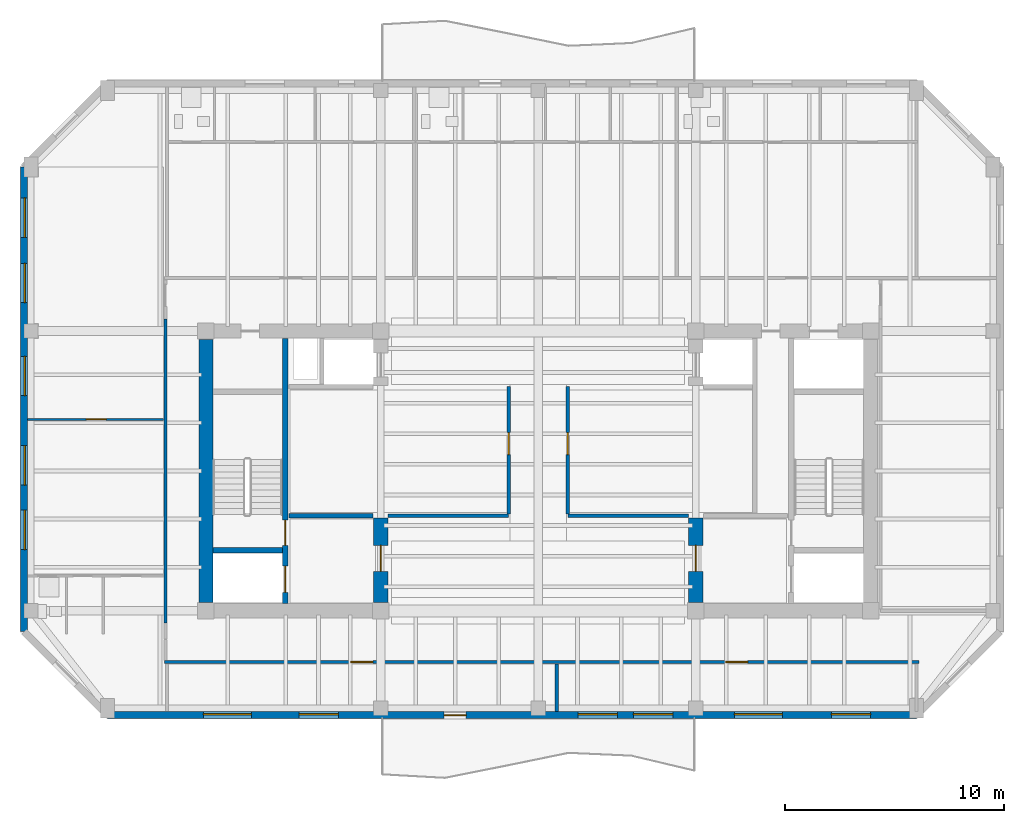
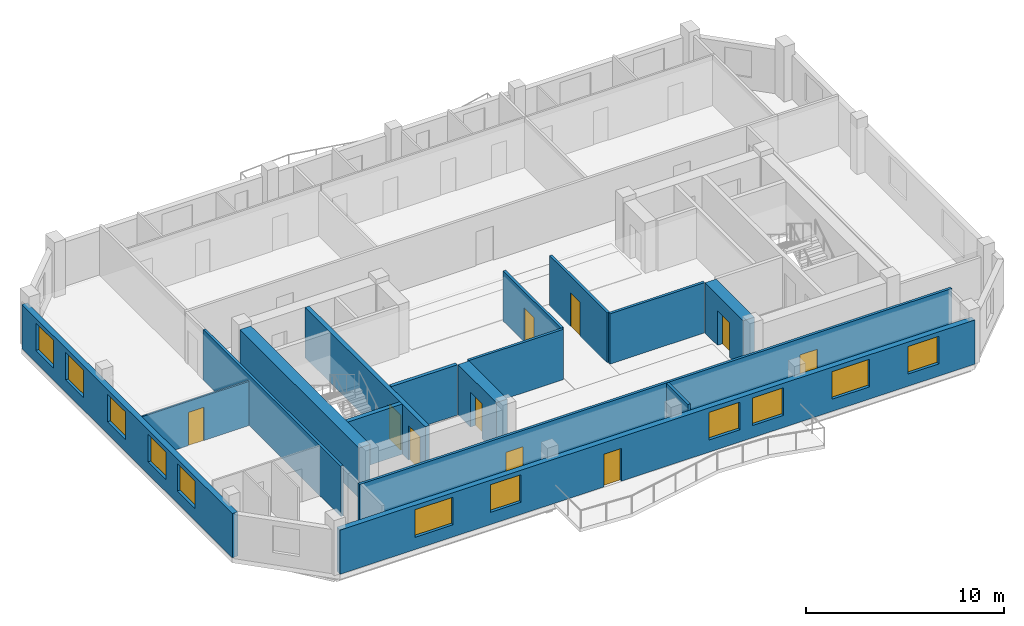
# One storey, part 3 of 10: 16 walls, 11 windows, 10 doors, 21 openings.
"""IFC4 building model written with IfcOpenShell, lengths in metres."""

from ifc_helpers import new_model, si_unit, direction, frame, frame_2d, origin, place, context, subcontext, project, spatial, rectangle, extrude, material, layer, layer_set, type_object, element, fill, save


model = new_model("IFC4")

# Units and contexts
model_context = context("Model", 3, precision=1e-05, world=origin(), true_north=direction((0.0, 1.0)))
body_context = subcontext(model_context, "Body", "Model", "MODEL_VIEW")
ifc_project = project(units=[si_unit("LENGTHUNIT", "METRE"), si_unit("AREAUNIT", "SQUARE_METRE"), si_unit("VOLUMEUNIT", "CUBIC_METRE"), si_unit("PLANEANGLEUNIT", "RADIAN"), si_unit("MASSUNIT", "GRAM", prefix="KILO")], contexts=[model_context])

# Site, building, storey
site_placement = place(None, origin())
site = spatial("IfcSite", under=ifc_project, at=site_placement, CompositionType="ELEMENT")
building_placement = place(site_placement, origin())
building = spatial("IfcBuilding", under=site, at=building_placement, Name="Kranthara Brick Stack", CompositionType="ELEMENT")
storey_placement = place(building_placement, frame((0.0, 0.0, 272.10009765625)))
storey = spatial("IfcBuildingStorey", under=building, at=storey_placement, Name="L72", CompositionType="ELEMENT", Elevation=272.10009765625)

# Wall, openings, door, windows
ifc_material_1 = material(Name="Warm buff clay brick masonry M15", Category="masonry")
ifc_layer_1 = layer(ifc_material_1, 0.320068359375)
ifc_layer_set_1 = layer_set([ifc_layer_1], Name="Warm buff clay brick masonry M15")
wall_type_1 = type_object("IfcWallType", Name="WL-BRK-UPPR-320", PredefinedType="STANDARD", material=ifc_layer_set_1)
wall_1_placement = place(storey_placement, frame((45.300048828125, 16.030029296875, 0.0), z_axis=(0.0, 0.0, 1.0), x_axis=(-1.0, 0.0, 0.0)))
wall_1 = element("IfcWall", 1, at=wall_1_placement, inside=storey, type_object=wall_type_1, Name="L72 Exterior Brick Facade Wall SOUTH 1", PredefinedType="STANDARD", context=body_context, shape_type="SweptSolid", body=[
    extrude(rectangle(XDim=37.0, YDim=0.320068359375, at=frame_2d((18.5, 0.0))), origin(), (0.0, 0.0, 1.0), 2.724853515625),
])
opening_1_placement = place(wall_1_placement, frame((20.60009765625, 0.0, 0.0)))
opening_1 = element("IfcOpeningElement", 2, at=opening_1_placement, cuts=wall_1, Name="Opening D03", PredefinedType="OPENING", context=body_context, shape_type="SweptSolid", body=[
    extrude(rectangle(XDim=1.0, YDim=2.02001953125, at=frame_2d((0.5, 1.010009765625))), frame((0.0, 0.169921875, 0.0), z_axis=(0.0, -1.0, 0.0), x_axis=(1.0, 0.0, 0.0)), (0.0, 0.0, 1.0), 0.340087890625),
])
opening_2_placement = place(wall_1_placement, frame((2.093994140625, 0.0, 0.75)))
opening_2 = element("IfcOpeningElement", 3, at=opening_2_placement, cuts=wall_1, Name="Opening WN07", PredefinedType="OPENING", context=body_context, shape_type="SweptSolid", body=[
    extrude(rectangle(XDim=1.800048828125, YDim=1.699951171875, at=frame_2d((0.89990234375, 0.85009765625))), frame((0.0, 0.169921875, 0.0), z_axis=(0.0, -1.0, 0.0), x_axis=(1.0, 0.0, 0.0)), (0.0, 0.0, 1.0), 0.340087890625),
])
opening_3_placement = place(wall_1_placement, frame((6.1298828125, 0.0, 0.75)))
opening_3 = element("IfcOpeningElement", 4, at=opening_3_placement, cuts=wall_1, Name="Opening WN08", PredefinedType="OPENING", context=body_context, shape_type="SweptSolid", body=[
    extrude(rectangle(XDim=2.199951171875, YDim=1.699951171875, at=frame_2d((1.10009765625, 0.85009765625))), frame((0.0, 0.169921875, 0.0), z_axis=(0.0, -1.0, 0.0), x_axis=(1.0, 0.0, 0.0)), (0.0, 0.0, 1.0), 0.340087890625),
])
opening_4_placement = place(wall_1_placement, frame((11.14794921875, 0.0, 0.75)))
opening_4 = element("IfcOpeningElement", 5, at=opening_4_placement, cuts=wall_1, Name="Opening WN07", PredefinedType="OPENING", context=body_context, shape_type="SweptSolid", body=[
    extrude(rectangle(XDim=1.800048828125, YDim=1.699951171875, at=frame_2d((0.89990234375, 0.85009765625))), frame((0.0, 0.169921875, 0.0), z_axis=(0.0, -1.0, 0.0), x_axis=(1.0, 0.0, 0.0)), (0.0, 0.0, 1.0), 0.340087890625),
])
opening_5_placement = place(wall_1_placement, frame((13.680908203125, 0.0, 0.75)))
opening_5 = element("IfcOpeningElement", 6, at=opening_5_placement, cuts=wall_1, Name="Opening WN07", PredefinedType="OPENING", context=body_context, shape_type="SweptSolid", body=[
    extrude(rectangle(XDim=1.800048828125, YDim=1.699951171875, at=frame_2d((0.89990234375, 0.85009765625))), frame((0.0, 0.169921875, 0.0), z_axis=(0.0, -1.0, 0.0), x_axis=(1.0, 0.0, 0.0)), (0.0, 0.0, 1.0), 0.340087890625),
])
opening_6_placement = place(wall_1_placement, frame((26.43798828125, 0.0, 0.75)))
opening_6 = element("IfcOpeningElement", 7, at=opening_6_placement, cuts=wall_1, Name="Opening WN07", PredefinedType="OPENING", context=body_context, shape_type="SweptSolid", body=[
    extrude(rectangle(XDim=1.800048828125, YDim=1.699951171875, at=frame_2d((0.89990234375, 0.85009765625))), frame((0.0, 0.169921875, 0.0), z_axis=(0.0, -1.0, 0.0), x_axis=(1.0, 0.0, 0.0)), (0.0, 0.0, 1.0), 0.340087890625),
])
opening_7_placement = place(wall_1_placement, frame((30.4169921875, 0.0, 0.75)))
opening_7 = element("IfcOpeningElement", 8, at=opening_7_placement, cuts=wall_1, Name="Opening WN08", PredefinedType="OPENING", context=body_context, shape_type="SweptSolid", body=[
    extrude(rectangle(XDim=2.199951171875, YDim=1.699951171875, at=frame_2d((1.10009765625, 0.85009765625))), frame((0.0, 0.169921875, 0.0), z_axis=(0.0, -1.0, 0.0), x_axis=(1.0, 0.0, 0.0)), (0.0, 0.0, 1.0), 0.340087890625),
])
ifc_material_2 = material(Name="Bronze anodised aluminium and laminated glass", Category="aluminium")
door_type_1 = type_object("IfcDoorType", Name="DR-BALC-1000", OperationType="NOTDEFINED", PredefinedType="DOOR", material=ifc_material_2)
door_1_placement = place(opening_1_placement, origin())
door_1 = element("IfcDoor", 9, at=door_1_placement, inside=storey, type_object=door_type_1, Name="L72 South Balcony Terrace Door", OperationType="SINGLE_SWING_LEFT", OverallHeight=2.02001953125, OverallWidth=1.0, PredefinedType="DOOR", context=body_context, shape_type="SweptSolid", body=[
    extrude(rectangle(XDim=1.0, YDim=2.02001953125, at=frame_2d((0.5, 1.010009765625))), frame((0.0, 0.02490234375, 0.0), z_axis=(0.0, -1.0, 0.0), x_axis=(1.0, 0.0, 0.0)), (0.0, 0.0, 1.0), 0.050048828125),
])
fill(opening_1, door_1)
ifc_material_3 = material(Name="Double-glazed low-E solar control glass", Category="glass")
window_type_1 = type_object("IfcWindowType", Name="WN-RES-1800x1850", PartitioningType="DOUBLE_PANEL_VERTICAL", PredefinedType="WINDOW", material=ifc_material_3)
window_1_placement = place(opening_2_placement, origin())
window_1 = element("IfcWindow", 10, at=window_1_placement, inside=storey, type_object=window_type_1, Name="L72 South Deep-Set Brick Window 01", OverallHeight=1.699951171875, OverallWidth=1.800048828125, PartitioningType="SINGLE_PANEL", PredefinedType="WINDOW", context=body_context, shape_type="SweptSolid", body=[
    extrude(rectangle(XDim=1.800048828125, YDim=1.699951171875, at=frame_2d((0.89990234375, 0.85009765625))), frame((0.0, -0.010009765625, 0.0), z_axis=(0.0, -1.0, 0.0), x_axis=(1.0, 0.0, 0.0)), (0.0, 0.0, 1.0), 0.06005859375),
])
fill(opening_2, window_1)
window_2_placement = place(opening_4_placement, origin())
window_2 = element("IfcWindow", 11, at=window_2_placement, inside=storey, type_object=window_type_1, Name="L72 South Deep-Set Brick Window 03", OverallHeight=1.699951171875, OverallWidth=1.800048828125, PartitioningType="SINGLE_PANEL", PredefinedType="WINDOW", context=body_context, shape_type="SweptSolid", body=[
    extrude(rectangle(XDim=1.800048828125, YDim=1.699951171875, at=frame_2d((0.89990234375, 0.85009765625))), frame((0.0, -0.010009765625, 0.0), z_axis=(0.0, -1.0, 0.0), x_axis=(1.0, 0.0, 0.0)), (0.0, 0.0, 1.0), 0.06005859375),
])
fill(opening_4, window_2)
window_3_placement = place(opening_5_placement, origin())
window_3 = element("IfcWindow", 12, at=window_3_placement, inside=storey, type_object=window_type_1, Name="L72 South Deep-Set Brick Window 04", OverallHeight=1.699951171875, OverallWidth=1.800048828125, PartitioningType="SINGLE_PANEL", PredefinedType="WINDOW", context=body_context, shape_type="SweptSolid", body=[
    extrude(rectangle(XDim=1.800048828125, YDim=1.699951171875, at=frame_2d((0.89990234375, 0.85009765625))), frame((0.0, -0.010009765625, 0.0), z_axis=(0.0, -1.0, 0.0), x_axis=(1.0, 0.0, 0.0)), (0.0, 0.0, 1.0), 0.06005859375),
])
fill(opening_5, window_3)
window_4_placement = place(opening_6_placement, origin())
window_4 = element("IfcWindow", 13, at=window_4_placement, inside=storey, type_object=window_type_1, Name="L72 South Deep-Set Brick Window 05", OverallHeight=1.699951171875, OverallWidth=1.800048828125, PartitioningType="SINGLE_PANEL", PredefinedType="WINDOW", context=body_context, shape_type="SweptSolid", body=[
    extrude(rectangle(XDim=1.800048828125, YDim=1.699951171875, at=frame_2d((0.89990234375, 0.85009765625))), frame((0.0, -0.010009765625, 0.0), z_axis=(0.0, -1.0, 0.0), x_axis=(1.0, 0.0, 0.0)), (0.0, 0.0, 1.0), 0.06005859375),
])
fill(opening_6, window_4)
ifc_material_4 = material(Name="Double-glazed low-E solar control glass", Category="glass")
window_type_2 = type_object("IfcWindowType", Name="WN-RES-2200x1850", PartitioningType="TRIPLE_PANEL_VERTICAL", PredefinedType="WINDOW", material=ifc_material_4)
window_5_placement = place(opening_3_placement, origin())
window_5 = element("IfcWindow", 14, at=window_5_placement, inside=storey, type_object=window_type_2, Name="L72 South Deep-Set Brick Window 02", OverallHeight=1.699951171875, OverallWidth=2.199951171875, PartitioningType="SINGLE_PANEL", PredefinedType="WINDOW", context=body_context, shape_type="SweptSolid", body=[
    extrude(rectangle(XDim=2.199951171875, YDim=1.699951171875, at=frame_2d((1.10009765625, 0.85009765625))), frame((0.0, -0.010009765625, 0.0), z_axis=(0.0, -1.0, 0.0), x_axis=(1.0, 0.0, 0.0)), (0.0, 0.0, 1.0), 0.06005859375),
])
fill(opening_3, window_5)
window_6_placement = place(opening_7_placement, origin())
window_6 = element("IfcWindow", 15, at=window_6_placement, inside=storey, type_object=window_type_2, Name="L72 South Deep-Set Brick Window 06", OverallHeight=1.699951171875, OverallWidth=2.199951171875, PartitioningType="SINGLE_PANEL", PredefinedType="WINDOW", context=body_context, shape_type="SweptSolid", body=[
    extrude(rectangle(XDim=2.199951171875, YDim=1.699951171875, at=frame_2d((1.10009765625, 0.85009765625))), frame((0.0, -0.010009765625, 0.0), z_axis=(0.0, -1.0, 0.0), x_axis=(1.0, 0.0, 0.0)), (0.0, 0.0, 1.0), 0.06005859375),
])
fill(opening_7, window_6)

# Wall, openings, windows
wall_2_placement = place(storey_placement, frame((4.47998046875, 19.85009765625, 0.0), z_axis=(0.0, 0.0, 1.0), x_axis=(0.0, 1.0, 0.0)))
wall_2 = element("IfcWall", 16, at=wall_2_placement, inside=storey, type_object=wall_type_1, Name="L72 Exterior Brick Facade Wall WEST 1", PredefinedType="STANDARD", context=body_context, shape_type="SweptSolid", body=[
    extrude(rectangle(XDim=21.25, YDim=0.320068359375, at=frame_2d((10.625, 0.0))), origin(), (0.0, 0.0, 1.0), 2.724853515625),
])
opening_8_placement = place(wall_2_placement, frame((3.7509765625, 0.0, 0.75)))
opening_8 = element("IfcOpeningElement", 17, at=opening_8_placement, cuts=wall_2, Name="Opening WN07", PredefinedType="OPENING", context=body_context, shape_type="SweptSolid", body=[
    extrude(rectangle(XDim=1.800048828125, YDim=1.699951171875, at=frame_2d((0.89990234375, 0.85009765625))), frame((0.0, 0.169921875, 0.0), z_axis=(0.0, -1.0, 0.0), x_axis=(1.0, 0.0, 0.0)), (0.0, 0.0, 1.0), 0.340087890625),
])
opening_9_placement = place(wall_2_placement, frame((6.705078125, 0.0, 0.75)))
opening_9 = element("IfcOpeningElement", 18, at=opening_9_placement, cuts=wall_2, Name="Opening WN07", PredefinedType="OPENING", context=body_context, shape_type="SweptSolid", body=[
    extrude(rectangle(XDim=1.800048828125, YDim=1.699951171875, at=frame_2d((0.89990234375, 0.85009765625))), frame((0.0, 0.169921875, 0.0), z_axis=(0.0, -1.0, 0.0), x_axis=(1.0, 0.0, 0.0)), (0.0, 0.0, 1.0), 0.340087890625),
])
opening_10_placement = place(wall_2_placement, frame((10.7900390625, 0.0, 0.75)))
opening_10 = element("IfcOpeningElement", 19, at=opening_10_placement, cuts=wall_2, Name="Opening WN07", PredefinedType="OPENING", context=body_context, shape_type="SweptSolid", body=[
    extrude(rectangle(XDim=1.800048828125, YDim=1.699951171875, at=frame_2d((0.89990234375, 0.85009765625))), frame((0.0, 0.169921875, 0.0), z_axis=(0.0, -1.0, 0.0), x_axis=(1.0, 0.0, 0.0)), (0.0, 0.0, 1.0), 0.340087890625),
])
opening_11_placement = place(wall_2_placement, frame((15.04296875, 0.0, 0.75)))
opening_11 = element("IfcOpeningElement", 20, at=opening_11_placement, cuts=wall_2, Name="Opening WN07", PredefinedType="OPENING", context=body_context, shape_type="SweptSolid", body=[
    extrude(rectangle(XDim=1.800048828125, YDim=1.699951171875, at=frame_2d((0.89990234375, 0.85009765625))), frame((0.0, 0.169921875, 0.0), z_axis=(0.0, -1.0, 0.0), x_axis=(1.0, 0.0, 0.0)), (0.0, 0.0, 1.0), 0.340087890625),
])
opening_12_placement = place(wall_2_placement, frame((18.031982421875, 0.0, 0.75)))
opening_12 = element("IfcOpeningElement", 21, at=opening_12_placement, cuts=wall_2, Name="Opening WN07", PredefinedType="OPENING", context=body_context, shape_type="SweptSolid", body=[
    extrude(rectangle(XDim=1.800048828125, YDim=1.699951171875, at=frame_2d((0.89990234375, 0.85009765625))), frame((0.0, 0.169921875, 0.0), z_axis=(0.0, -1.0, 0.0), x_axis=(1.0, 0.0, 0.0)), (0.0, 0.0, 1.0), 0.340087890625),
])
window_7_placement = place(opening_8_placement, origin())
window_7 = element("IfcWindow", 22, at=window_7_placement, inside=storey, type_object=window_type_1, Name="L72 West Deep-Set Brick Window 01", OverallHeight=1.699951171875, OverallWidth=1.800048828125, PartitioningType="SINGLE_PANEL", PredefinedType="WINDOW", context=body_context, shape_type="SweptSolid", body=[
    extrude(rectangle(XDim=1.800048828125, YDim=1.699951171875, at=frame_2d((0.89990234375, 0.85009765625))), frame((0.0, -0.010009765625, 0.0), z_axis=(0.0, -1.0, 0.0), x_axis=(1.0, 0.0, 0.0)), (0.0, 0.0, 1.0), 0.06005859375),
])
fill(opening_8, window_7)
window_8_placement = place(opening_9_placement, origin())
window_8 = element("IfcWindow", 23, at=window_8_placement, inside=storey, type_object=window_type_1, Name="L72 West Deep-Set Brick Window 02", OverallHeight=1.699951171875, OverallWidth=1.800048828125, PartitioningType="SINGLE_PANEL", PredefinedType="WINDOW", context=body_context, shape_type="SweptSolid", body=[
    extrude(rectangle(XDim=1.800048828125, YDim=1.699951171875, at=frame_2d((0.89990234375, 0.85009765625))), frame((0.0, -0.010009765625, 0.0), z_axis=(0.0, -1.0, 0.0), x_axis=(1.0, 0.0, 0.0)), (0.0, 0.0, 1.0), 0.06005859375),
])
fill(opening_9, window_8)
window_9_placement = place(opening_10_placement, origin())
window_9 = element("IfcWindow", 24, at=window_9_placement, inside=storey, type_object=window_type_1, Name="L72 West Deep-Set Brick Window 03", OverallHeight=1.699951171875, OverallWidth=1.800048828125, PartitioningType="SINGLE_PANEL", PredefinedType="WINDOW", context=body_context, shape_type="SweptSolid", body=[
    extrude(rectangle(XDim=1.800048828125, YDim=1.699951171875, at=frame_2d((0.89990234375, 0.85009765625))), frame((0.0, -0.010009765625, 0.0), z_axis=(0.0, -1.0, 0.0), x_axis=(1.0, 0.0, 0.0)), (0.0, 0.0, 1.0), 0.06005859375),
])
fill(opening_10, window_9)
window_10_placement = place(opening_11_placement, origin())
window_10 = element("IfcWindow", 25, at=window_10_placement, inside=storey, type_object=window_type_1, Name="L72 West Deep-Set Brick Window 04", OverallHeight=1.699951171875, OverallWidth=1.800048828125, PartitioningType="SINGLE_PANEL", PredefinedType="WINDOW", context=body_context, shape_type="SweptSolid", body=[
    extrude(rectangle(XDim=1.800048828125, YDim=1.699951171875, at=frame_2d((0.89990234375, 0.85009765625))), frame((0.0, -0.010009765625, 0.0), z_axis=(0.0, -1.0, 0.0), x_axis=(1.0, 0.0, 0.0)), (0.0, 0.0, 1.0), 0.06005859375),
])
fill(opening_11, window_10)
window_11_placement = place(opening_12_placement, origin())
window_11 = element("IfcWindow", 26, at=window_11_placement, inside=storey, type_object=window_type_1, Name="L72 West Deep-Set Brick Window 05", OverallHeight=1.699951171875, OverallWidth=1.800048828125, PartitioningType="SINGLE_PANEL", PredefinedType="WINDOW", context=body_context, shape_type="SweptSolid", body=[
    extrude(rectangle(XDim=1.800048828125, YDim=1.699951171875, at=frame_2d((0.89990234375, 0.85009765625))), frame((0.0, -0.010009765625, 0.0), z_axis=(0.0, -1.0, 0.0), x_axis=(1.0, 0.0, 0.0)), (0.0, 0.0, 1.0), 0.06005859375),
])
fill(opening_12, window_11)

# Wall, openings, doors
ifc_material_5 = material(Name="Concrete C50/60", Category="concrete")
ifc_layer_2 = layer(ifc_material_5, 0.25)
ifc_layer_set_2 = layer_set([ifc_layer_2], Name="Concrete C50/60")
wall_type_2 = type_object("IfcWallType", Name="WL-CORE-250", PredefinedType="SHEAR", material=ifc_layer_set_2)
wall_3_placement = place(storey_placement, frame((16.43505859375, 21.135009765625, 0.0), z_axis=(0.0, 0.0, 1.0), x_axis=(0.0, 1.0, 0.0)))
wall_3 = element("IfcWall", 27, at=wall_3_placement, inside=storey, type_object=wall_type_2, Name="L72 West Core Stair Bearing Spine Wall", PredefinedType="SHEAR", context=body_context, shape_type="SweptSolid", body=[
    extrude(rectangle(XDim=12.1298828125, YDim=0.25, at=frame_2d((6.06494140625, 0.0))), origin(), (0.0, 0.0, 1.0), 3.099853515625),
])
opening_13_placement = place(wall_3_placement, frame((0.514892578125, 0.0, 0.0)))
opening_13 = element("IfcOpeningElement", 28, at=opening_13_placement, cuts=wall_3, Name="Opening LD01", PredefinedType="OPENING", context=body_context, shape_type="SweptSolid", body=[
    extrude(rectangle(XDim=1.199951171875, YDim=2.14990234375, at=frame_2d((0.60009765625, 1.074951171875))), frame((0.0, 0.135009765625, 0.0), z_axis=(0.0, -1.0, 0.0), x_axis=(1.0, 0.0, 0.0)), (0.0, 0.0, 1.0), 0.27001953125),
])
opening_14_placement = place(wall_3_placement, frame((2.6650390625, 0.0, 0.0)))
opening_14 = element("IfcOpeningElement", 29, at=opening_14_placement, cuts=wall_3, Name="Opening D05", PredefinedType="OPENING", context=body_context, shape_type="SweptSolid", body=[
    extrude(rectangle(XDim=1.14990234375, YDim=2.14990234375, at=frame_2d((0.574951171875, 1.074951171875))), frame((0.0, 0.135009765625, 0.0), z_axis=(0.0, -1.0, 0.0), x_axis=(1.0, 0.0, 0.0)), (0.0, 0.0, 1.0), 0.27001953125),
])
ifc_material_6 = material(Name="Stainless steel sliding landing door", Category="steel")
door_type_2 = type_object("IfcDoorType", Name="DR-LD-FF1200", OperationType="DOUBLE_DOOR_SLIDING", PredefinedType="DOOR", material=ifc_material_6)
door_2_placement = place(opening_13_placement, origin())
door_2 = element("IfcDoor", 30, at=door_2_placement, inside=storey, type_object=door_type_2, Name="L72 Firefighting Lift FF-01 Landing Door", OperationType="DOUBLE_DOOR_SLIDING", OverallHeight=2.14990234375, OverallWidth=1.199951171875, PredefinedType="DOOR", context=body_context, shape_type="SweptSolid", body=[
    extrude(rectangle(XDim=1.199951171875, YDim=2.14990234375, at=frame_2d((0.60009765625, 1.074951171875))), frame((0.0, 0.02490234375, 0.0), z_axis=(0.0, -1.0, 0.0), x_axis=(1.0, 0.0, 0.0)), (0.0, 0.0, 1.0), 0.050048828125),
])
fill(opening_13, door_2)
ifc_material_7 = material(Name="Solid-core hardwood timber leaf in steel frame", Category="steel")
door_type_3 = type_object("IfcDoorType", Name="DR-ST-1150", OperationType="NOTDEFINED", PredefinedType="DOOR", material=ifc_material_7)
door_3_placement = place(opening_14_placement, origin())
door_3 = element("IfcDoor", 31, at=door_3_placement, inside=storey, type_object=door_type_3, Name="L72 Exit Stair ST01 Door", OperationType="SINGLE_SWING_RIGHT", OverallHeight=2.14990234375, OverallWidth=1.14990234375, PredefinedType="DOOR", context=body_context, shape_type="SweptSolid", body=[
    extrude(rectangle(XDim=1.14990234375, YDim=2.14990234375, at=frame_2d((0.574951171875, 1.074951171875))), frame((0.0, 0.02490234375, 0.0), z_axis=(0.0, -1.0, 0.0), x_axis=(1.0, 0.0, 0.0)), (0.0, 0.0, 1.0), 0.050048828125),
])
fill(opening_14, door_3)

# Walls
wall_4_placement = place(storey_placement, frame((13.135009765625, 23.570068359375, 0.0), z_axis=(0.0, 0.0, 1.0), x_axis=(1.0, 0.0, 0.0)))
element("IfcWall", 32, at=wall_4_placement, inside=storey, type_object=wall_type_2, Name="L72 West Stairwell Bearing Wall WFF", PredefinedType="SHEAR", context=body_context, shape_type="SweptSolid", body=[
    extrude(rectangle(XDim=3.175048828125, YDim=0.25, at=frame_2d((1.58740234375, 0.0))), origin(), (0.0, 0.0, 1.0), 3.099853515625),
])
ifc_material_8 = material(Name="Concrete C60/75", Category="concrete")
ifc_layer_3 = layer(ifc_material_8, 0.64990234375)
ifc_layer_set_3 = layer_set([ifc_layer_3], Name="Concrete C60/75")
wall_type_3 = type_object("IfcWallType", Name="WL-CORE-650", PredefinedType="SHEAR", material=ifc_layer_set_3)
wall_5_placement = place(storey_placement, frame((12.800048828125, 21.179931640625, 0.0), z_axis=(0.0, 0.0, 1.0), x_axis=(0.0, 1.0, 0.0)))
element("IfcWall", 33, at=wall_5_placement, inside=storey, type_object=wall_type_3, Name="L72 West Core Shear Wall West", PredefinedType="SHEAR", context=body_context, shape_type="SweptSolid", body=[
    extrude(rectangle(XDim=12.0400390625, YDim=0.64990234375, at=frame_2d((6.02001953125, 0.0))), origin(), (0.0, 0.0, 1.0), 3.099853515625),
])

# Wall, opening, door
wall_6_placement = place(storey_placement, frame((20.800048828125, 21.179931640625, 0.0), z_axis=(0.0, 0.0, 1.0), x_axis=(0.0, 1.0, 0.0)))
wall_6 = element("IfcWall", 34, at=wall_6_placement, inside=storey, type_object=wall_type_3, Name="L72 West Core Lobby Shear Wall", PredefinedType="SHEAR", context=body_context, shape_type="SweptSolid", body=[
    extrude(rectangle(XDim=3.8701171875, YDim=0.64990234375, at=frame_2d((1.93505859375, 0.0))), origin(), (0.0, 0.0, 1.0), 3.099853515625),
])
opening_15_placement = place(wall_6_placement, frame((1.419921875, 0.0, 0.0)))
opening_15 = element("IfcOpeningElement", 35, at=opening_15_placement, cuts=wall_6, Name="Opening D06", PredefinedType="OPENING", context=body_context, shape_type="SweptSolid", body=[
    extrude(rectangle(XDim=1.199951171875, YDim=2.14990234375, at=frame_2d((0.60009765625, 1.074951171875))), frame((0.0, 0.3349609375, 0.0), z_axis=(0.0, -1.0, 0.0), x_axis=(1.0, 0.0, 0.0)), (0.0, 0.0, 1.0), 0.669921875),
])
ifc_material_9 = material(Name="Solid-core hardwood timber leaf in steel frame", Category="steel")
door_type_4 = type_object("IfcDoorType", Name="DR-FFL-1200", OperationType="NOTDEFINED", PredefinedType="DOOR", material=ifc_material_9)
door_4_placement = place(opening_15_placement, origin())
door_4 = element("IfcDoor", 36, at=door_4_placement, inside=storey, type_object=door_type_4, Name="L72 West Firefighting Lobby Door", OperationType="SINGLE_SWING_LEFT", OverallHeight=2.14990234375, OverallWidth=1.199951171875, PredefinedType="DOOR", context=body_context, shape_type="SweptSolid", body=[
    extrude(rectangle(XDim=1.199951171875, YDim=2.14990234375, at=frame_2d((0.60009765625, 1.074951171875))), frame((0.0, 0.02490234375, 0.0), z_axis=(0.0, -1.0, 0.0), x_axis=(1.0, 0.0, 0.0)), (0.0, 0.0, 1.0), 0.050048828125),
])
fill(opening_15, door_4)

wall_7_placement = place(storey_placement, frame((35.199951171875, 21.179931640625, 0.0), z_axis=(0.0, 0.0, 1.0), x_axis=(0.0, 1.0, 0.0)))
wall_7 = element("IfcWall", 37, at=wall_7_placement, inside=storey, type_object=wall_type_3, Name="L72 East Core Lobby Shear Wall", PredefinedType="SHEAR", context=body_context, shape_type="SweptSolid", body=[
    extrude(rectangle(XDim=3.8701171875, YDim=0.64990234375, at=frame_2d((1.93505859375, 0.0))), origin(), (0.0, 0.0, 1.0), 3.099853515625),
])
opening_16_placement = place(wall_7_placement, frame((1.419921875, 0.0, 0.0)))
opening_16 = element("IfcOpeningElement", 38, at=opening_16_placement, cuts=wall_7, Name="Opening D06", PredefinedType="OPENING", context=body_context, shape_type="SweptSolid", body=[
    extrude(rectangle(XDim=1.199951171875, YDim=2.14990234375, at=frame_2d((0.60009765625, 1.074951171875))), frame((0.0, 0.3349609375, 0.0), z_axis=(0.0, -1.0, 0.0), x_axis=(1.0, 0.0, 0.0)), (0.0, 0.0, 1.0), 0.669921875),
])
door_5_placement = place(opening_16_placement, origin())
door_5 = element("IfcDoor", 39, at=door_5_placement, inside=storey, type_object=door_type_4, Name="L72 East Firefighting Lobby Door", OperationType="SINGLE_SWING_RIGHT", OverallHeight=2.14990234375, OverallWidth=1.199951171875, PredefinedType="DOOR", context=body_context, shape_type="SweptSolid", body=[
    extrude(rectangle(XDim=1.199951171875, YDim=2.14990234375, at=frame_2d((0.60009765625, 1.074951171875))), frame((0.0, 0.02490234375, 0.0), z_axis=(0.0, -1.0, 0.0), x_axis=(1.0, 0.0, 0.0)), (0.0, 0.0, 1.0), 0.050048828125),
])
fill(opening_16, door_5)

ifc_material_10 = material(Name="Moisture-resistant wet-room partition", Category="other")
ifc_layer_4 = layer(ifc_material_10, 0.10009765625)
ifc_layer_set_4 = layer_set([ifc_layer_4], Name="Moisture-resistant wet-room partition")
wall_type_4 = type_object("IfcWallType", Name="WL-PART-100", PredefinedType="PARTITIONING", material=ifc_layer_set_4)
wall_8_placement = place(storey_placement, frame((4.64501953125, 29.555908203125, 0.0), z_axis=(0.0, 0.0, 1.0), x_axis=(1.0, 0.0, 0.0)))
wall_8 = element("IfcWall", 40, at=wall_8_placement, inside=storey, type_object=wall_type_4, Name="L72 Interior Partition 030", PredefinedType="PARTITIONING", context=body_context, shape_type="SweptSolid", body=[
    extrude(rectangle(XDim=6.22509765625, YDim=0.10009765625, at=frame_2d((3.112548828125, 0.0))), origin(), (0.0, 0.0, 1.0), 2.724853515625),
])
opening_17_placement = place(wall_8_placement, frame((2.696044921875, 0.0, 0.0)))
opening_17 = element("IfcOpeningElement", 41, at=opening_17_placement, cuts=wall_8, Name="Opening D15", PredefinedType="OPENING", context=body_context, shape_type="SweptSolid", body=[
    extrude(rectangle(XDim=0.89990234375, YDim=2.050048828125, at=frame_2d((0.449951171875, 1.02490234375))), frame((0.0, 0.06005859375, 0.0), z_axis=(0.0, -1.0, 0.0), x_axis=(1.0, 0.0, 0.0)), (0.0, 0.0, 1.0), 0.1201171875),
])
ifc_material_11 = material(Name="Solid-core hardwood timber leaf in steel frame", Category="steel")
door_type_5 = type_object("IfcDoorType", Name="DR-INT-900", OperationType="NOTDEFINED", PredefinedType="DOOR", material=ifc_material_11)
door_6_placement = place(opening_17_placement, origin())
door_6 = element("IfcDoor", 42, at=door_6_placement, inside=storey, type_object=door_type_5, Name="L72 Unit L72D Study 19", OperationType="SINGLE_SWING_LEFT", OverallHeight=2.050048828125, OverallWidth=0.89990234375, PredefinedType="DOOR", context=body_context, shape_type="SweptSolid", body=[
    extrude(rectangle(XDim=0.89990234375, YDim=2.050048828125, at=frame_2d((0.449951171875, 1.02490234375))), frame((0.0, 0.02490234375, 0.0), z_axis=(0.0, -1.0, 0.0), x_axis=(1.0, 0.0, 0.0)), (0.0, 0.0, 1.0), 0.050048828125),
])
fill(opening_17, door_6)

# Walls
ifc_material_12 = material(Name="Fire-rated gypsum board partition", Category="other")
ifc_layer_5 = layer(ifc_material_12, 0.14990234375)
ifc_layer_set_5 = layer_set([ifc_layer_5], Name="Fire-rated gypsum board partition")
wall_type_5 = type_object("IfcWallType", Name="WL-PART-150", PredefinedType="PARTITIONING", material=ifc_layer_set_5)
for number, where, z_axis, x_axis, name in (
    (43, (21.1298828125, 25.14990234375, 0.0), (0.0, 0.0, 1.0), (1.0, 0.0, 0.0), "L72 Interior Partition 001"),
    (44, (29.35009765625, 25.14990234375, 0.0), (0.0, 0.0, 1.0), (1.0, 0.0, 0.0), "L72 Interior Partition 002"),
):
    element("IfcWall", number, at=place(storey_placement, frame(where, z_axis=z_axis, x_axis=x_axis)), inside=storey, type_object=wall_type_5, Name=name, PredefinedType="PARTITIONING", context=body_context, shape_type="SweptSolid", body=[
        extrude(rectangle(XDim=5.52001953125, YDim=0.14990234375, at=frame_2d((2.760009765625, 0.0))), origin(), (0.0, 0.0, 1.0), 3.099853515625),
    ])

# Wall, opening, door
wall_9_placement = place(storey_placement, frame((26.64990234375, 25.22998046875, 0.0), z_axis=(0.0, 0.0, 1.0), x_axis=(0.0, 1.0, 0.0)))
wall_9 = element("IfcWall", 45, at=wall_9_placement, inside=storey, type_object=wall_type_5, Name="L72 Interior Partition 003", PredefinedType="PARTITIONING", context=body_context, shape_type="SweptSolid", body=[
    extrude(rectangle(XDim=5.820068359375, YDim=0.14990234375, at=frame_2d((2.91015625, 0.0))), origin(), (0.0, 0.0, 1.0), 3.099853515625),
])
opening_18_placement = place(wall_9_placement, frame((2.719970703125, 0.0, 0.0)))
opening_18 = element("IfcOpeningElement", 46, at=opening_18_placement, cuts=wall_9, Name="Opening D08", PredefinedType="OPENING", context=body_context, shape_type="SweptSolid", body=[
    extrude(rectangle(XDim=1.0, YDim=2.10009765625, at=frame_2d((0.5, 1.050048828125))), frame((0.0, 0.0849609375, 0.0), z_axis=(0.0, -1.0, 0.0), x_axis=(1.0, 0.0, 0.0)), (0.0, 0.0, 1.0), 0.169921875),
])
ifc_material_13 = material(Name="Solid-core hardwood timber leaf in steel frame", Category="steel")
door_type_6 = type_object("IfcDoorType", Name="DR-FD-1000", OperationType="NOTDEFINED", PredefinedType="DOOR", material=ifc_material_13)
door_7_placement = place(opening_18_placement, origin())
door_7 = element("IfcDoor", 47, at=door_7_placement, inside=storey, type_object=door_type_6, Name="L72 Residents Study Salon 01", OperationType="SINGLE_SWING_LEFT", OverallHeight=2.10009765625, OverallWidth=1.0, PredefinedType="DOOR", context=body_context, shape_type="SweptSolid", body=[
    extrude(rectangle(XDim=1.0, YDim=2.10009765625, at=frame_2d((0.5, 1.050048828125))), frame((0.0, 0.02490234375, 0.0), z_axis=(0.0, -1.0, 0.0), x_axis=(1.0, 0.0, 0.0)), (0.0, 0.0, 1.0), 0.050048828125),
])
fill(opening_18, door_7)

wall_10_placement = place(storey_placement, frame((29.35009765625, 25.22998046875, 0.0), z_axis=(0.0, 0.0, 1.0), x_axis=(0.0, 1.0, 0.0)))
wall_10 = element("IfcWall", 48, at=wall_10_placement, inside=storey, type_object=wall_type_5, Name="L72 Interior Partition 004", PredefinedType="PARTITIONING", context=body_context, shape_type="SweptSolid", body=[
    extrude(rectangle(XDim=5.820068359375, YDim=0.14990234375, at=frame_2d((2.91015625, 0.0))), origin(), (0.0, 0.0, 1.0), 3.099853515625),
])
opening_19_placement = place(wall_10_placement, frame((2.719970703125, 0.0, 0.0)))
opening_19 = element("IfcOpeningElement", 49, at=opening_19_placement, cuts=wall_10, Name="Opening D08", PredefinedType="OPENING", context=body_context, shape_type="SweptSolid", body=[
    extrude(rectangle(XDim=1.0, YDim=2.10009765625, at=frame_2d((0.5, 1.050048828125))), frame((0.0, 0.0849609375, 0.0), z_axis=(0.0, -1.0, 0.0), x_axis=(1.0, 0.0, 0.0)), (0.0, 0.0, 1.0), 0.169921875),
])
door_8_placement = place(opening_19_placement, origin())
door_8 = element("IfcDoor", 50, at=door_8_placement, inside=storey, type_object=door_type_6, Name="L72 Private Dining Lounge 02", OperationType="SINGLE_SWING_RIGHT", OverallHeight=2.10009765625, OverallWidth=1.0, PredefinedType="DOOR", context=body_context, shape_type="SweptSolid", body=[
    extrude(rectangle(XDim=1.0, YDim=2.10009765625, at=frame_2d((0.5, 1.050048828125))), frame((0.0, 0.02490234375, 0.0), z_axis=(0.0, -1.0, 0.0), x_axis=(1.0, 0.0, 0.0)), (0.0, 0.0, 1.0), 0.050048828125),
])
fill(opening_19, door_8)

# Wall, openings, doors
wall_11_placement = place(storey_placement, frame((10.89990234375, 18.4599609375, 0.0), z_axis=(0.0, 0.0, 1.0), x_axis=(1.0, 0.0, 0.0)))
wall_11 = element("IfcWall", 51, at=wall_11_placement, inside=storey, type_object=wall_type_5, Name="L72 Interior Partition 005", PredefinedType="PARTITIONING", context=body_context, shape_type="SweptSolid", body=[
    extrude(rectangle(XDim=34.52001953125, YDim=0.14990234375, at=frame_2d((17.260009765625, 0.0))), origin(), (0.0, 0.0, 1.0), 3.099853515625),
])
opening_20_placement = place(wall_11_placement, frame((8.532958984375, 0.0, 0.0)))
opening_20 = element("IfcOpeningElement", 52, at=opening_20_placement, cuts=wall_11, Name="Opening D08", PredefinedType="OPENING", context=body_context, shape_type="SweptSolid", body=[
    extrude(rectangle(XDim=1.0, YDim=2.10009765625, at=frame_2d((0.5, 1.050048828125))), frame((0.0, 0.0849609375, 0.0), z_axis=(0.0, -1.0, 0.0), x_axis=(1.0, 0.0, 0.0)), (0.0, 0.0, 1.0), 0.169921875),
])
opening_21_placement = place(wall_11_placement, frame((25.673095703125, 0.0, 0.0)))
opening_21 = element("IfcOpeningElement", 53, at=opening_21_placement, cuts=wall_11, Name="Opening D08", PredefinedType="OPENING", context=body_context, shape_type="SweptSolid", body=[
    extrude(rectangle(XDim=1.0, YDim=2.10009765625, at=frame_2d((0.5, 1.050048828125))), frame((0.0, 0.0849609375, 0.0), z_axis=(0.0, -1.0, 0.0), x_axis=(1.0, 0.0, 0.0)), (0.0, 0.0, 1.0), 0.169921875),
])
door_9_placement = place(opening_20_placement, origin())
door_9 = element("IfcDoor", 54, at=door_9_placement, inside=storey, type_object=door_type_6, Name="L72 South Amenity Lounge 1 03", OperationType="SINGLE_SWING_LEFT", OverallHeight=2.10009765625, OverallWidth=1.0, PredefinedType="DOOR", context=body_context, shape_type="SweptSolid", body=[
    extrude(rectangle(XDim=1.0, YDim=2.10009765625, at=frame_2d((0.5, 1.050048828125))), frame((0.0, 0.02490234375, 0.0), z_axis=(0.0, -1.0, 0.0), x_axis=(1.0, 0.0, 0.0)), (0.0, 0.0, 1.0), 0.050048828125),
])
fill(opening_20, door_9)
door_10_placement = place(opening_21_placement, origin())
door_10 = element("IfcDoor", 55, at=door_10_placement, inside=storey, type_object=door_type_6, Name="L72 South Amenity Lounge 2 04", OperationType="SINGLE_SWING_RIGHT", OverallHeight=2.10009765625, OverallWidth=1.0, PredefinedType="DOOR", context=body_context, shape_type="SweptSolid", body=[
    extrude(rectangle(XDim=1.0, YDim=2.10009765625, at=frame_2d((0.5, 1.050048828125))), frame((0.0, 0.02490234375, 0.0), z_axis=(0.0, -1.0, 0.0), x_axis=(1.0, 0.0, 0.0)), (0.0, 0.0, 1.0), 0.050048828125),
])
fill(opening_21, door_10)

# Walls
wall_12_placement = place(storey_placement, frame((28.845947265625, 16.195068359375, 0.0), z_axis=(0.0, 0.0, 1.0), x_axis=(0.0, 1.0, 0.0)))
element("IfcWall", 56, at=wall_12_placement, inside=storey, type_object=wall_type_5, Name="L72 Interior Partition 007", PredefinedType="PARTITIONING", context=body_context, shape_type="SweptSolid", body=[
    extrude(rectangle(XDim=2.184814453125, YDim=0.14990234375, at=frame_2d((1.09228515625, 0.0))), origin(), (0.0, 0.0, 1.0), 3.099853515625),
])
wall_13_placement = place(storey_placement, frame((10.949951171875, 20.25, 0.0), z_axis=(0.0, 0.0, 1.0), x_axis=(0.0, 1.0, 0.0)))
element("IfcWall", 57, at=wall_13_placement, inside=storey, type_object=wall_type_5, Name="L72 Interior Partition 026", PredefinedType="PARTITIONING", context=body_context, shape_type="SweptSolid", body=[
    extrude(rectangle(XDim=13.89990234375, YDim=0.14990234375, at=frame_2d((6.949951171875, 0.0))), origin(), (0.0, 0.0, 1.0), 3.099853515625),
])
ifc_material_14 = material(Name="Concrete C40/50", Category="concrete")
ifc_layer_6 = layer(ifc_material_14, 0.199951171875)
ifc_layer_set_6 = layer_set([ifc_layer_6], Name="Concrete C40/50")
wall_type_6 = type_object("IfcWallType", Name="WL-PART-200", PredefinedType="SOLIDWALL", material=ifc_layer_set_6)
wall_14_placement = place(storey_placement, frame((16.60009765625, 25.14990234375, 0.0), z_axis=(0.0, 0.0, 1.0), x_axis=(1.0, 0.0, 0.0)))
element("IfcWall", 58, at=wall_14_placement, inside=storey, type_object=wall_type_6, Name="L72 West Core Cross Wall WFL", PredefinedType="SOLIDWALL", context=body_context, shape_type="SweptSolid", body=[
    extrude(rectangle(XDim=3.849853515625, YDim=0.199951171875, at=frame_2d((1.9248046875, 0.0))), origin(), (0.0, 0.0, 1.0), 3.099853515625),
])

save(model, "model.ifc")
